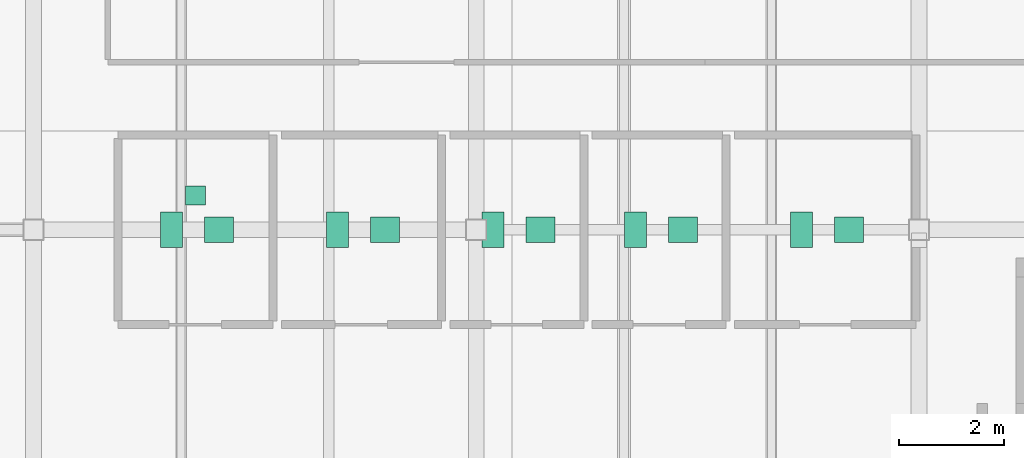
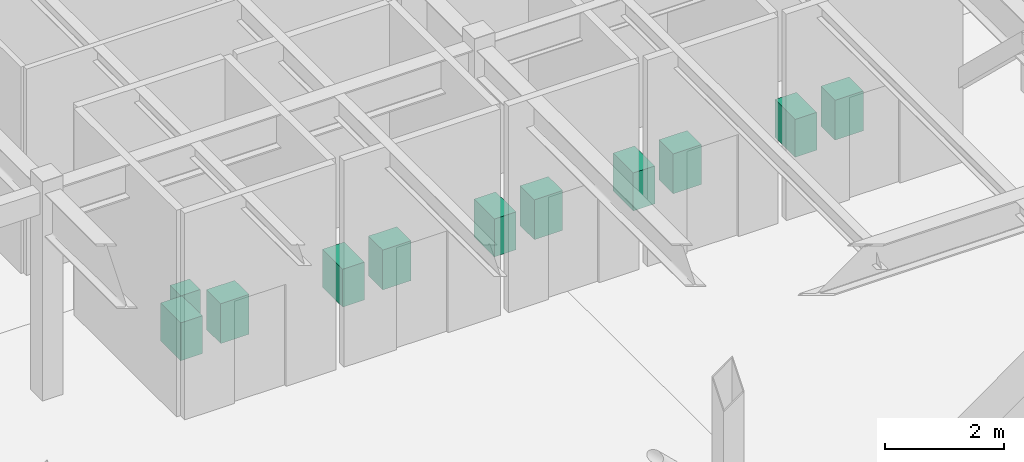
# One storey, part 26 of 26: 11 sanitary terminals.
"""IFC4 building model written with IfcOpenShell, lengths in metres."""

import ifcopenshell
import ifcopenshell.guid

model = None  # the IFC model being written
_history = None  # IfcOwnerHistory: only IFC2X3 demands one
_inside = {}  # id of a spatial element -> (the spatial element, [elements in it])
_under = {}  # id of a project, library or spatial element -> (it, [spatial elements below it])
_declared = {}  # id of a project -> (the project, [libraries it declares])
_typed = {}  # id of a type object -> (the type object, [elements of that type])
_made_of = {}  # id of a material, layer set ... -> (it, [elements and type objects made of it])


def new_model(schema):
    """Start an empty IFC model of exactly this schema.

    Asked for "IFC4X3", IfcOpenShell would pick the latest addendum, in which some entities
    have other attributes; the version numbers below select the first issue.
    IFC2X3 requires an IfcOwnerHistory on every rooted entity: one is made here for all.
    """
    global model, _history
    if schema == "IFC4X3":
        model = ifcopenshell.file(schema_version=(4, 3, 0, 0))
    else:
        model = ifcopenshell.file(schema=schema)
    _inside.clear()
    _under.clear()
    _declared.clear()
    _typed.clear()
    _made_of.clear()
    _history = None
    if model.schema == "IFC2X3":
        org = make("IfcOrganization", Name="unknown")
        user = make(
            "IfcPersonAndOrganization",
            ThePerson=make("IfcPerson", FamilyName="unknown"),
            TheOrganization=org,
        )
        app = make(
            "IfcApplication",
            ApplicationDeveloper=org,
            Version="unknown",
            ApplicationFullName="unknown",
            ApplicationIdentifier="unknown",
        )
        _history = make(
            "IfcOwnerHistory",
            OwningUser=user,
            OwningApplication=app,
            ChangeAction="ADDED",
            CreationDate=0,
        )
    return model


def make(cls, **values):
    """One entity of the class cls with the attributes given. An attribute that is None is left unset."""
    return model.create_entity(
        cls, **{name: value for name, value in values.items() if value is not None}
    )


def rooted(cls, **values):
    """An entity with a GlobalId (a new one), such as an element, a storey or a relation."""
    return make(cls, GlobalId=ifcopenshell.guid.new(), OwnerHistory=_history, **values)


def si_unit(unit_type, name, prefix=None):
    """IfcSIUnit, for example si_unit("LENGTHUNIT", "METRE", prefix="MILLI")."""
    return make("IfcSIUnit", UnitType=unit_type, Prefix=prefix, Name=name)


def assignment(units):
    """IfcUnitAssignment: the units of a project."""
    return None if units is None else make("IfcUnitAssignment", Units=units)


def point(xyz):
    """IfcCartesianPoint."""
    return None if xyz is None else make("IfcCartesianPoint", Coordinates=xyz)


def direction(xyz):
    """IfcDirection."""
    return None if xyz is None else make("IfcDirection", DirectionRatios=xyz)


def frame(location, z_axis=None, x_axis=None):
    """IfcAxis2Placement3D, a coordinate frame: its origin and axes. An axis left out is left unset."""
    return make(
        "IfcAxis2Placement3D",
        Location=point(location),
        Axis=direction(z_axis),
        RefDirection=direction(x_axis),
    )


def frame_2d(location, x_axis=None):
    """IfcAxis2Placement2D, a coordinate frame in the plane: its origin and x axis."""
    return make(
        "IfcAxis2Placement2D", Location=point(location), RefDirection=direction(x_axis)
    )


def origin():
    """The frame at (0, 0, 0) with its axes left unset."""
    return frame((0.0, 0.0, 0.0))


def origin_2d():
    """The frame at (0, 0) in the plane with its x axis left unset."""
    return frame_2d((0.0, 0.0))


def place(relative_to, where):
    """IfcLocalPlacement: puts the frame where relative to a parent placement (None: the world)."""
    return make(
        "IfcLocalPlacement", PlacementRelTo=relative_to, RelativePlacement=where
    )


def context(
    kind, dimensions, precision=None, world=None, true_north=None, identifier=None
):
    """IfcGeometricRepresentationContext, for example the 3D "Model" context."""
    return make(
        "IfcGeometricRepresentationContext",
        ContextIdentifier=identifier,
        ContextType=kind,
        CoordinateSpaceDimension=dimensions,
        Precision=precision,
        WorldCoordinateSystem=world,
        TrueNorth=true_north,
    )


def subcontext(parent, identifier, kind, view, scale=None):
    """IfcGeometricRepresentationSubContext, for example "Body" below "Model"."""
    return make(
        "IfcGeometricRepresentationSubContext",
        ContextIdentifier=identifier,
        ContextType=kind,
        ParentContext=parent,
        TargetScale=scale,
        TargetView=view,
    )


def project(units=None, contexts=None):
    """IfcProject with its units and contexts."""
    return rooted(
        "IfcProject",
        Name="project",
        RepresentationContexts=contexts,
        UnitsInContext=assignment(units),
    )


def spatial(cls, under=None, at=None, **own):
    """A site, building, storey or space (cls), placed at a placement, below another one or the project."""
    s = rooted(cls, ObjectPlacement=at, **own)
    if under is not None:
        _under.setdefault(under.id(), (under, []))[1].append(s)
    return s


def profile(cls, at=None, kind="AREA", **sizes):
    """A parametric profile (cls). Its sizes go by their IFC names, for example OverallWidth=200.0."""
    return make(cls, ProfileType=kind, Position=at, **sizes)


def rectangle(**sizes):
    """IfcRectangleProfileDef."""
    return profile("IfcRectangleProfileDef", **sizes)


def extrude(swept, where, along, depth):
    """IfcExtrudedAreaSolid: the profile swept, set in the frame where, extruded along a direction by depth."""
    return make(
        "IfcExtrudedAreaSolid",
        SweptArea=swept,
        Position=where,
        ExtrudedDirection=direction(along),
        Depth=depth,
    )


def shape(context_of_items, identifier, shape_type, items):
    """IfcShapeRepresentation: the items that make up one representation, for example the "Body"."""
    return make(
        "IfcShapeRepresentation",
        ContextOfItems=context_of_items,
        RepresentationIdentifier=identifier,
        RepresentationType=shape_type,
        Items=items,
    )


def material(Name=None, Category=None):
    """IfcMaterial."""
    return make("IfcMaterial", Name=Name, Category=Category)


def made_of(thing, what):
    """Note that an element or type object is made of a material, layer set ...; save() writes the relation."""
    if what is not None:
        _made_of.setdefault(what.id(), (what, []))[1].append(thing)
    return thing


def type_object(cls, material=None, **own):
    """A type object (cls), such as IfcWallType, which elements share."""
    return made_of(rooted(cls, **own), material)


def element(
    cls,
    number,
    at=None,
    inside=None,
    cuts=None,
    type_object=None,
    material=None,
    context=None,
    identifier="Body",
    shape_type=None,
    held_by="IfcProductDefinitionShape",
    body=None,
    shapes=None,
    **own,
):
    """One element of the class cls, such as IfcWall. Its Tag is "e" and its number.

    at: its placement. inside: the storey or other place that contains it. cuts: it is an
    opening in that element (IfcRelVoidsElement). A single representation is given by context,
    identifier, shape_type and body (its items); several are given by shapes. held_by: the class
    of the entity that holds the representations. save() writes the other relations.
    """
    e = rooted(cls, Tag="e%d" % number, ObjectPlacement=at, **own)
    if body is not None:
        shapes = [shape(context, identifier, shape_type, body)]
    if shapes is not None:
        e.Representation = make(held_by, Representations=shapes)
    if inside is not None:
        _inside.setdefault(inside.id(), (inside, []))[1].append(e)
    if cuts is not None:
        rooted(
            "IfcRelVoidsElement", RelatingBuildingElement=cuts, RelatedOpeningElement=e
        )
    if type_object is not None:
        _typed.setdefault(type_object.id(), (type_object, []))[1].append(e)
    return made_of(e, material)


def aggregate(whole, parts):
    """IfcRelAggregates: a whole, such as a stair, and the parts it consists of."""
    return rooted("IfcRelAggregates", RelatingObject=whole, RelatedObjects=parts)


def save(model, path):
    """Write the relations noted so far, then the file.

    IfcRelAggregates (storeys below a building ...), IfcRelContainedInSpatialStructure (elements
    in a storey), IfcRelDefinesByType, IfcRelAssociatesMaterial and IfcRelDeclares: one each for
    every whole, place, type object, material and project.
    """
    for whole, parts in _under.values():
        aggregate(whole, parts)
    for where, things in _inside.values():
        rooted(
            "IfcRelContainedInSpatialStructure",
            RelatedElements=things,
            RelatingStructure=where,
        )
    for kind, things in _typed.values():
        rooted("IfcRelDefinesByType", RelatedObjects=things, RelatingType=kind)
    for what, things in _made_of.values():
        rooted("IfcRelAssociatesMaterial", RelatedObjects=things, RelatingMaterial=what)
    for by, libraries in _declared.values():
        rooted("IfcRelDeclares", RelatingContext=by, RelatedDefinitions=libraries)
    model.write(path)


model = new_model("IFC4")

# Units and contexts
model_context = context("Model", 3, precision=1e-05, world=origin(), true_north=direction((0.0, 1.0)))
body_context = subcontext(model_context, "Body", "Model", "MODEL_VIEW")
ifc_project = project(units=[si_unit("LENGTHUNIT", "METRE"), si_unit("AREAUNIT", "SQUARE_METRE"), si_unit("VOLUMEUNIT", "CUBIC_METRE"), si_unit("PLANEANGLEUNIT", "RADIAN"), si_unit("MASSUNIT", "GRAM", prefix="KILO"), si_unit("THERMODYNAMICTEMPERATUREUNIT", "KELVIN")], contexts=[model_context])

# Site, building, storey
site_placement = place(None, origin())
site = spatial("IfcSite", under=ifc_project, at=site_placement, CompositionType="ELEMENT")
building_placement = place(site_placement, origin())
building = spatial("IfcBuilding", under=site, at=building_placement, Name="Lustrewick Department Store", CompositionType="ELEMENT")
storey_placement = place(building_placement, frame((0.0, 0.0, 36.300048828125)))
storey = spatial("IfcBuildingStorey", under=building, at=storey_placement, Name="L08", CompositionType="ELEMENT", Elevation=36.300048828125)

# Sanitary terminals
ifc_material = material(Name="Glazed white vitreous china sanitaryware", Category="masonry")
sanitary_terminal_type_1 = type_object("IfcSanitaryTerminalType", Name="SAN-URI", PredefinedType="URINAL", material=ifc_material)
sanitary_terminal_placement = place(storey_placement, frame((120.669921875, 67.85009765625, 0.0), z_axis=(0.0, 0.0, 1.0), x_axis=(1.0, 0.0, 0.0)))
element("IfcSanitaryTerminal", 1, at=sanitary_terminal_placement, inside=storey, type_object=sanitary_terminal_type_1, Name="L08 Male Public WC Urinal", PredefinedType="URINAL", context=body_context, shape_type="SweptSolid", body=[
    extrude(rectangle(XDim=0.3798828125, YDim=0.360107421875, at=origin_2d()), origin(), (0.0, 0.0, 1.0), 0.679931640625),
])
sanitary_terminal_type_2 = type_object("IfcSanitaryTerminalType", Name="SAN-WC", PredefinedType="TOILETPAN", material=ifc_material)
for number, where, z_axis, x_axis, name in (
    (2, (120.219970703125, 67.199951171875, 0.0), (0.0, 0.0, 1.0), (1.0, 0.0, 0.0), "L08 Male Public WC WC Pan"),
    (3, (123.3701171875, 67.199951171875, 0.0), (0.0, 0.0, 1.0), (1.0, 0.0, 0.0), "L08 Female Public WC WC Pan"),
    (4, (126.320068359375, 67.199951171875, 0.0), (0.0, 0.0, 1.0), (1.0, 0.0, 0.0), "L08 Accessible WC WC Pan"),
    (5, (129.02001953125, 67.199951171875, 0.0), (0.0, 0.0, 1.0), (1.0, 0.0, 0.0), "L08 Staff WC WC Pan"),
    (6, (132.169921875, 67.199951171875, 0.0), (0.0, 0.0, 1.0), (1.0, 0.0, 0.0), "L08 Nursery Room WC Pan"),
):
    element("IfcSanitaryTerminal", number, at=place(storey_placement, frame(where, z_axis=z_axis, x_axis=x_axis)), inside=storey, type_object=sanitary_terminal_type_2, Name=name, PredefinedType="TOILETPAN", context=body_context, shape_type="SweptSolid", body=[
        extrude(rectangle(XDim=0.419921875, YDim=0.679931640625, at=origin_2d()), origin(), (0.0, 0.0, 1.0), 0.780029296875),
    ])
sanitary_terminal_type_3 = type_object("IfcSanitaryTerminalType", Name="SAN-WHB", PredefinedType="WASHHANDBASIN", material=ifc_material)
for number, where, z_axis, x_axis, name in (
    (7, (121.1201171875, 67.199951171875, 0.0), (0.0, 0.0, 1.0), (1.0, 0.0, 0.0), "L08 Male Public WC Washbasin"),
    (8, (124.27001953125, 67.199951171875, 0.0), (0.0, 0.0, 1.0), (1.0, 0.0, 0.0), "L08 Female Public WC Washbasin"),
    (9, (127.219970703125, 67.199951171875, 0.0), (0.0, 0.0, 1.0), (1.0, 0.0, 0.0), "L08 Accessible WC Washbasin"),
    (10, (129.919921875, 67.199951171875, 0.0), (0.0, 0.0, 1.0), (1.0, 0.0, 0.0), "L08 Staff WC Washbasin"),
    (11, (133.070068359375, 67.199951171875, 0.0), (0.0, 0.0, 1.0), (1.0, 0.0, 0.0), "L08 Nursery Room Washbasin"),
):
    element("IfcSanitaryTerminal", number, at=place(storey_placement, frame(where, z_axis=z_axis, x_axis=x_axis)), inside=storey, type_object=sanitary_terminal_type_3, Name=name, PredefinedType="WASHHANDBASIN", context=body_context, shape_type="SweptSolid", body=[
        extrude(rectangle(XDim=0.550048828125, YDim=0.47998046875, at=origin_2d()), origin(), (0.0, 0.0, 1.0), 0.820068359375),
    ])

save(model, "model.ifc")
